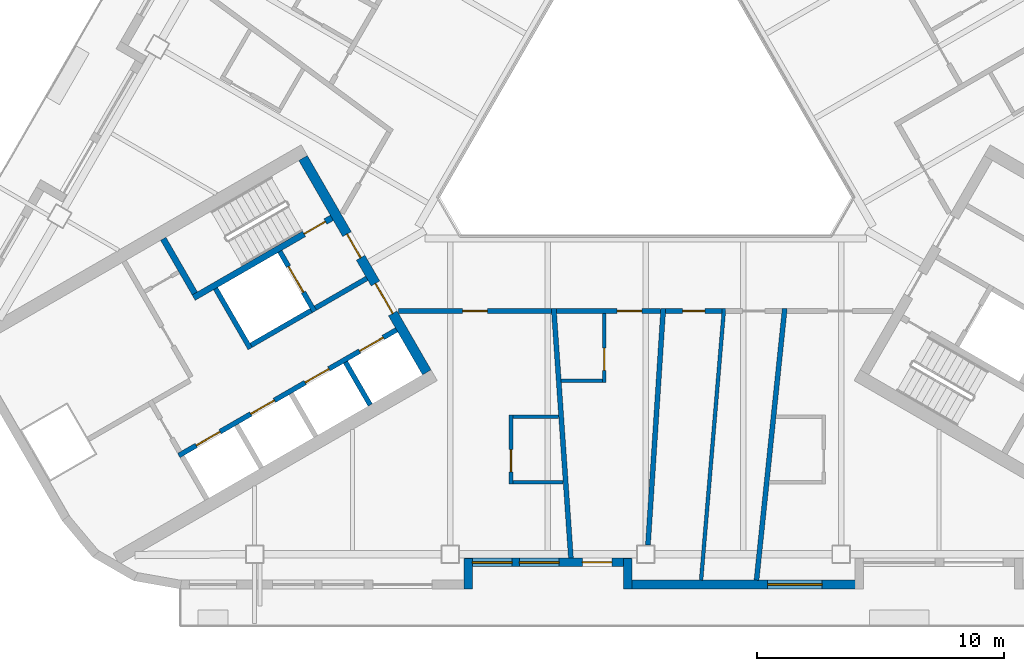
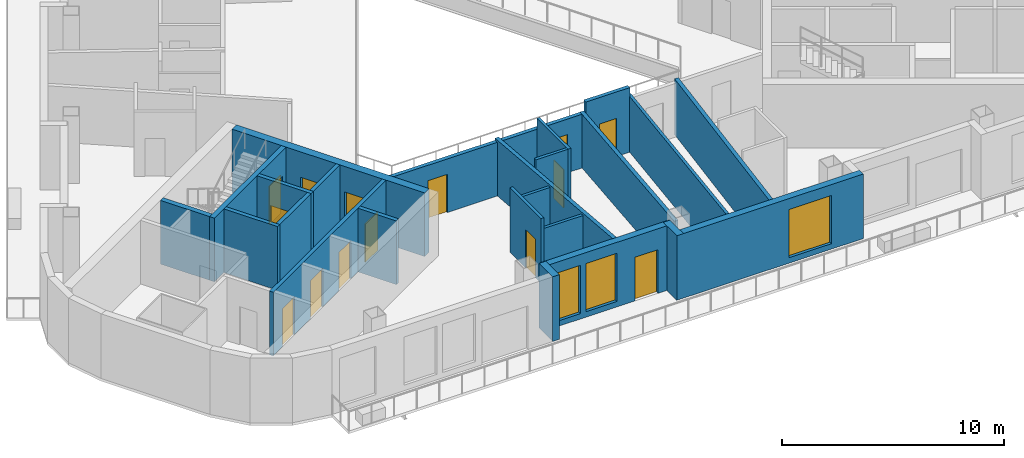
# One storey, part 3 of 14: 25 walls, 14 doors, 3 windows, 17 openings.
"""IFC4 building model written with IfcOpenShell, lengths in metres."""

import ifcopenshell
import ifcopenshell.guid

model = None  # the IFC model being written
_history = None  # IfcOwnerHistory: only IFC2X3 demands one
_inside = {}  # id of a spatial element -> (the spatial element, [elements in it])
_under = {}  # id of a project, library or spatial element -> (it, [spatial elements below it])
_declared = {}  # id of a project -> (the project, [libraries it declares])
_typed = {}  # id of a type object -> (the type object, [elements of that type])
_made_of = {}  # id of a material, layer set ... -> (it, [elements and type objects made of it])


def new_model(schema):
    """Start an empty IFC model of exactly this schema.

    Asked for "IFC4X3", IfcOpenShell would pick the latest addendum, in which some entities
    have other attributes; the version numbers below select the first issue.
    IFC2X3 requires an IfcOwnerHistory on every rooted entity: one is made here for all.
    """
    global model, _history
    if schema == "IFC4X3":
        model = ifcopenshell.file(schema_version=(4, 3, 0, 0))
    else:
        model = ifcopenshell.file(schema=schema)
    _inside.clear()
    _under.clear()
    _declared.clear()
    _typed.clear()
    _made_of.clear()
    _history = None
    if model.schema == "IFC2X3":
        org = make("IfcOrganization", Name="unknown")
        user = make(
            "IfcPersonAndOrganization",
            ThePerson=make("IfcPerson", FamilyName="unknown"),
            TheOrganization=org,
        )
        app = make(
            "IfcApplication",
            ApplicationDeveloper=org,
            Version="unknown",
            ApplicationFullName="unknown",
            ApplicationIdentifier="unknown",
        )
        _history = make(
            "IfcOwnerHistory",
            OwningUser=user,
            OwningApplication=app,
            ChangeAction="ADDED",
            CreationDate=0,
        )
    return model


def make(cls, **values):
    """One entity of the class cls with the attributes given. An attribute that is None is left unset."""
    return model.create_entity(
        cls, **{name: value for name, value in values.items() if value is not None}
    )


def rooted(cls, **values):
    """An entity with a GlobalId (a new one), such as an element, a storey or a relation."""
    return make(cls, GlobalId=ifcopenshell.guid.new(), OwnerHistory=_history, **values)


def si_unit(unit_type, name, prefix=None):
    """IfcSIUnit, for example si_unit("LENGTHUNIT", "METRE", prefix="MILLI")."""
    return make("IfcSIUnit", UnitType=unit_type, Prefix=prefix, Name=name)


def assignment(units):
    """IfcUnitAssignment: the units of a project."""
    return None if units is None else make("IfcUnitAssignment", Units=units)


def point(xyz):
    """IfcCartesianPoint."""
    return None if xyz is None else make("IfcCartesianPoint", Coordinates=xyz)


def direction(xyz):
    """IfcDirection."""
    return None if xyz is None else make("IfcDirection", DirectionRatios=xyz)


def frame(location, z_axis=None, x_axis=None):
    """IfcAxis2Placement3D, a coordinate frame: its origin and axes. An axis left out is left unset."""
    return make(
        "IfcAxis2Placement3D",
        Location=point(location),
        Axis=direction(z_axis),
        RefDirection=direction(x_axis),
    )


def frame_2d(location, x_axis=None):
    """IfcAxis2Placement2D, a coordinate frame in the plane: its origin and x axis."""
    return make(
        "IfcAxis2Placement2D", Location=point(location), RefDirection=direction(x_axis)
    )


def origin():
    """The frame at (0, 0, 0) with its axes left unset."""
    return frame((0.0, 0.0, 0.0))


def place(relative_to, where):
    """IfcLocalPlacement: puts the frame where relative to a parent placement (None: the world)."""
    return make(
        "IfcLocalPlacement", PlacementRelTo=relative_to, RelativePlacement=where
    )


def context(
    kind, dimensions, precision=None, world=None, true_north=None, identifier=None
):
    """IfcGeometricRepresentationContext, for example the 3D "Model" context."""
    return make(
        "IfcGeometricRepresentationContext",
        ContextIdentifier=identifier,
        ContextType=kind,
        CoordinateSpaceDimension=dimensions,
        Precision=precision,
        WorldCoordinateSystem=world,
        TrueNorth=true_north,
    )


def subcontext(parent, identifier, kind, view, scale=None):
    """IfcGeometricRepresentationSubContext, for example "Body" below "Model"."""
    return make(
        "IfcGeometricRepresentationSubContext",
        ContextIdentifier=identifier,
        ContextType=kind,
        ParentContext=parent,
        TargetScale=scale,
        TargetView=view,
    )


def project(units=None, contexts=None):
    """IfcProject with its units and contexts."""
    return rooted(
        "IfcProject",
        Name="project",
        RepresentationContexts=contexts,
        UnitsInContext=assignment(units),
    )


def spatial(cls, under=None, at=None, **own):
    """A site, building, storey or space (cls), placed at a placement, below another one or the project."""
    s = rooted(cls, ObjectPlacement=at, **own)
    if under is not None:
        _under.setdefault(under.id(), (under, []))[1].append(s)
    return s


def profile(cls, at=None, kind="AREA", **sizes):
    """A parametric profile (cls). Its sizes go by their IFC names, for example OverallWidth=200.0."""
    return make(cls, ProfileType=kind, Position=at, **sizes)


def rectangle(**sizes):
    """IfcRectangleProfileDef."""
    return profile("IfcRectangleProfileDef", **sizes)


def extrude(swept, where, along, depth):
    """IfcExtrudedAreaSolid: the profile swept, set in the frame where, extruded along a direction by depth."""
    return make(
        "IfcExtrudedAreaSolid",
        SweptArea=swept,
        Position=where,
        ExtrudedDirection=direction(along),
        Depth=depth,
    )


def shape(context_of_items, identifier, shape_type, items):
    """IfcShapeRepresentation: the items that make up one representation, for example the "Body"."""
    return make(
        "IfcShapeRepresentation",
        ContextOfItems=context_of_items,
        RepresentationIdentifier=identifier,
        RepresentationType=shape_type,
        Items=items,
    )


def material(Name=None, Category=None):
    """IfcMaterial."""
    return make("IfcMaterial", Name=Name, Category=Category)


def layer(
    of_material, thickness, ventilated=None, Name=None, Category=None, Priority=None
):
    """IfcMaterialLayer: one layer of a wall or slab, of a material (None: an air gap)."""
    return make(
        "IfcMaterialLayer",
        Material=of_material,
        LayerThickness=thickness,
        IsVentilated=ventilated,
        Name=Name,
        Category=Category,
        Priority=Priority,
    )


def layer_set(layers, Name=None):
    """IfcMaterialLayerSet."""
    return make("IfcMaterialLayerSet", MaterialLayers=layers, LayerSetName=Name)


def made_of(thing, what):
    """Note that an element or type object is made of a material, layer set ...; save() writes the relation."""
    if what is not None:
        _made_of.setdefault(what.id(), (what, []))[1].append(thing)
    return thing


def type_object(cls, material=None, **own):
    """A type object (cls), such as IfcWallType, which elements share."""
    return made_of(rooted(cls, **own), material)


def element(
    cls,
    number,
    at=None,
    inside=None,
    cuts=None,
    type_object=None,
    material=None,
    context=None,
    identifier="Body",
    shape_type=None,
    held_by="IfcProductDefinitionShape",
    body=None,
    shapes=None,
    **own,
):
    """One element of the class cls, such as IfcWall. Its Tag is "e" and its number.

    at: its placement. inside: the storey or other place that contains it. cuts: it is an
    opening in that element (IfcRelVoidsElement). A single representation is given by context,
    identifier, shape_type and body (its items); several are given by shapes. held_by: the class
    of the entity that holds the representations. save() writes the other relations.
    """
    e = rooted(cls, Tag="e%d" % number, ObjectPlacement=at, **own)
    if body is not None:
        shapes = [shape(context, identifier, shape_type, body)]
    if shapes is not None:
        e.Representation = make(held_by, Representations=shapes)
    if inside is not None:
        _inside.setdefault(inside.id(), (inside, []))[1].append(e)
    if cuts is not None:
        rooted(
            "IfcRelVoidsElement", RelatingBuildingElement=cuts, RelatedOpeningElement=e
        )
    if type_object is not None:
        _typed.setdefault(type_object.id(), (type_object, []))[1].append(e)
    return made_of(e, material)


def fill(opening, filler):
    """IfcRelFillsElement: the door or window that sits in an opening."""
    return rooted(
        "IfcRelFillsElement",
        RelatingOpeningElement=opening,
        RelatedBuildingElement=filler,
    )


def aggregate(whole, parts):
    """IfcRelAggregates: a whole, such as a stair, and the parts it consists of."""
    return rooted("IfcRelAggregates", RelatingObject=whole, RelatedObjects=parts)


def save(model, path):
    """Write the relations noted so far, then the file.

    IfcRelAggregates (storeys below a building ...), IfcRelContainedInSpatialStructure (elements
    in a storey), IfcRelDefinesByType, IfcRelAssociatesMaterial and IfcRelDeclares: one each for
    every whole, place, type object, material and project.
    """
    for whole, parts in _under.values():
        aggregate(whole, parts)
    for where, things in _inside.values():
        rooted(
            "IfcRelContainedInSpatialStructure",
            RelatedElements=things,
            RelatingStructure=where,
        )
    for kind, things in _typed.values():
        rooted("IfcRelDefinesByType", RelatedObjects=things, RelatingType=kind)
    for what, things in _made_of.values():
        rooted("IfcRelAssociatesMaterial", RelatedObjects=things, RelatingMaterial=what)
    for by, libraries in _declared.values():
        rooted("IfcRelDeclares", RelatingContext=by, RelatedDefinitions=libraries)
    model.write(path)


model = new_model("IFC4")

# Units and contexts
model_context = context("Model", 3, precision=1e-05, world=origin(), true_north=direction((0.0, 1.0)))
body_context = subcontext(model_context, "Body", "Model", "MODEL_VIEW")
ifc_project = project(units=[si_unit("LENGTHUNIT", "METRE"), si_unit("AREAUNIT", "SQUARE_METRE"), si_unit("VOLUMEUNIT", "CUBIC_METRE"), si_unit("PLANEANGLEUNIT", "RADIAN"), si_unit("MASSUNIT", "GRAM", prefix="KILO")], contexts=[model_context])

# Site, building, storey
site_placement = place(None, origin())
site = spatial("IfcSite", under=ifc_project, at=site_placement, CompositionType="ELEMENT")
building_placement = place(site_placement, origin())
building = spatial("IfcBuilding", under=site, at=building_placement, Name="Apuvela Tower Hotel", CompositionType="ELEMENT")
storey_placement = place(building_placement, frame((0.0, 0.0, 205.800048828125)))
storey = spatial("IfcBuildingStorey", under=building, at=storey_placement, Name="L50", CompositionType="ELEMENT", Elevation=205.800048828125)

# Wall, openings, doors
ifc_material_1 = material(Name="Concrete C50/60", Category="concrete")
ifc_layer_1 = layer(ifc_material_1, 0.39990234375)
ifc_layer_set_1 = layer_set([ifc_layer_1], Name="COR-WALL-CORE-400")
wall_type_1 = type_object("IfcWallType", Name="COR-WALL-CORE-400", PredefinedType="SHEAR", material=ifc_layer_set_1)
wall_1_placement = place(storey_placement, frame((-13.844970703125, -2.219970703125, 0.0), z_axis=(0.0, 0.0, 1.0), x_axis=(0.500004234368, -0.866022959057, 0.0)))
wall_1 = element("IfcWall", 1, at=wall_1_placement, inside=storey, type_object=wall_type_1, Name="Core wall SW", PredefinedType="SHEAR", context=body_context, shape_type="SweptSolid", body=[
    extrude(rectangle(XDim=10.0, YDim=0.39990234375, at=frame_2d((5.0, 0.0))), origin(), (0.0, 0.0, 1.0), 3.5),
])
opening_1_placement = place(wall_1_placement, frame((3.550048828125, 0.0, 0.0)))
opening_1 = element("IfcOpeningElement", 2, at=opening_1_placement, cuts=wall_1, Name="Opening W-FD", PredefinedType="OPENING", context=body_context, shape_type="SweptSolid", body=[
    extrude(rectangle(XDim=1.10009765625, YDim=2.10009765625, at=frame_2d((0.550048828125, 1.050048828125))), frame((0.0, 0.2099609375, 0.0), z_axis=(0.0, -1.0, 0.0), x_axis=(1.0, 0.0, 0.0)), (0.0, 0.0, 1.0), 0.419921875),
])
opening_2_placement = place(wall_1_placement, frame((5.85009765625, 0.0, 0.0)))
opening_2 = element("IfcOpeningElement", 3, at=opening_2_placement, cuts=wall_1, Name="Opening W-GD", PredefinedType="OPENING", context=body_context, shape_type="SweptSolid", body=[
    extrude(rectangle(XDim=1.39990234375, YDim=2.10009765625, at=frame_2d((0.699951171875, 1.050048828125))), frame((0.0, 0.2099609375, 0.0), z_axis=(0.0, -1.0, 0.0), x_axis=(1.0, 0.0, 0.0)), (0.0, 0.0, 1.0), 0.419921875),
])
ifc_material_2 = material(Name="Steel fire door, powder coated", Category="steel")
door_type_1 = type_object("IfcDoorType", Name="COR-FD-1100", OperationType="NOTDEFINED", PredefinedType="DOOR", material=ifc_material_2)
door_1_placement = place(opening_1_placement, frame((1.10009765625, 0.0, 0.0), z_axis=(0.0, 0.0, 1.0), x_axis=(-1.0, 0.0, 0.0)))
door_1 = element("IfcDoor", 4, at=door_1_placement, inside=storey, type_object=door_type_1, Name="Firefighting lobby door W-FD", OperationType="SINGLE_SWING_LEFT", OverallHeight=2.10009765625, OverallWidth=1.10009765625, PredefinedType="DOOR", context=body_context, shape_type="SweptSolid", body=[
    extrude(rectangle(XDim=1.10009765625, YDim=2.10009765625, at=frame_2d((0.550048828125, 1.050048828125))), frame((0.0, 0.02490234375, 0.0), z_axis=(0.0, -1.0, 0.0), x_axis=(1.0, 0.0, 0.0)), (0.0, 0.0, 1.0), 0.050048828125),
])
fill(opening_1, door_1)
ifc_material_3 = material(Name="Glazed steel fire door", Category="steel")
door_type_2 = type_object("IfcDoorType", Name="COR-GD-1400", OperationType="DOUBLE_DOOR_SINGLE_SWING", PredefinedType="DOOR", material=ifc_material_3)
door_2_placement = place(opening_2_placement, frame((1.39990234375, 0.0, 0.0), z_axis=(0.0, 0.0, 1.0), x_axis=(-1.0, 0.0, 0.0)))
door_2 = element("IfcDoor", 5, at=door_2_placement, inside=storey, type_object=door_type_2, Name="Lift lobby door W-GD", OperationType="DOUBLE_DOOR_SINGLE_SWING", OverallHeight=2.10009765625, OverallWidth=1.39990234375, PredefinedType="DOOR", context=body_context, shape_type="SweptSolid", body=[
    extrude(rectangle(XDim=1.39990234375, YDim=2.10009765625, at=frame_2d((0.699951171875, 1.050048828125))), frame((0.0, 0.02490234375, 0.0), z_axis=(0.0, -1.0, 0.0), x_axis=(1.0, 0.0, 0.0)), (0.0, 0.0, 1.0), 0.050048828125),
])
fill(opening_2, door_2)

# Wall
ifc_layer_2 = layer(ifc_material_1, 0.199951171875)
ifc_layer_set_2 = layer_set([ifc_layer_2], Name="COR-WALL-SHAFT-200")
wall_type_2 = type_object("IfcWallType", Name="COR-WALL-SHAFT-200", PredefinedType="SHEAR", material=ifc_layer_set_2)
wall_2_placement = place(storey_placement, frame((-17.38134765625, -7.49462890625, 0.0), z_axis=(0.0, 0.0, 1.0), x_axis=(0.500011755427, -0.866018616679, 0.0)))
element("IfcWall", 6, at=wall_2_placement, inside=storey, type_object=wall_type_2, Name="Shaft wall SW", PredefinedType="SHEAR", context=body_context, shape_type="SweptSolid", body=[
    extrude(rectangle(XDim=2.80029296875, YDim=0.199951171875, at=frame_2d((1.400146484375, 0.0))), origin(), (0.0, 0.0, 1.0), 3.5),
])

# Wall, opening, door
wall_3_placement = place(storey_placement, frame((-14.783203125, -5.99462890625, 0.0), z_axis=(0.0, 0.0, 1.0), x_axis=(0.49994636267, -0.866056369097, 0.0)))
wall_3 = element("IfcWall", 7, at=wall_3_placement, inside=storey, type_object=wall_type_2, Name="Shaft wall SW", PredefinedType="SHEAR", context=body_context, shape_type="SweptSolid", body=[
    extrude(rectangle(XDim=2.800048828125, YDim=0.199951171875, at=frame_2d((1.39990234375, 0.0))), origin(), (0.0, 0.0, 1.0), 3.5),
])
opening_3_placement = place(wall_3_placement, frame((0.699951171875, 0.0, 0.0)))
opening_3 = element("IfcOpeningElement", 8, at=opening_3_placement, cuts=wall_3, Name="Opening W-LD-FS2", PredefinedType="OPENING", context=body_context, shape_type="SweptSolid", body=[
    extrude(rectangle(XDim=1.199951171875, YDim=2.10009765625, at=frame_2d((0.60009765625, 1.050048828125))), frame((0.0, 0.10986328125, 0.0), z_axis=(0.0, -1.0, 0.0), x_axis=(1.0, 0.0, 0.0)), (0.0, 0.0, 1.0), 0.219970703125),
])
ifc_material_4 = material(Name="Stainless steel lift landing door", Category="steel")
door_type_3 = type_object("IfcDoorType", Name="COR-LD-1200", OperationType="DOUBLE_DOOR_SLIDING", PredefinedType="DOOR", material=ifc_material_4)
door_3_placement = place(opening_3_placement, origin())
door_3 = element("IfcDoor", 9, at=door_3_placement, inside=storey, type_object=door_type_3, Name="Lift landing door W-LD-FS2", OperationType="DOUBLE_DOOR_SLIDING", OverallHeight=2.10009765625, OverallWidth=1.199951171875, PredefinedType="DOOR", context=body_context, shape_type="SweptSolid", body=[
    extrude(rectangle(XDim=1.199951171875, YDim=2.10009765625, at=frame_2d((0.60009765625, 1.050048828125))), frame((0.0, 0.02490234375, 0.0), z_axis=(0.0, -1.0, 0.0), x_axis=(1.0, 0.0, 0.0)), (0.0, 0.0, 1.0), 0.050048828125),
])
fill(opening_3, door_3)

# Walls
wall_4_placement = place(storey_placement, frame((-13.519775390625, -8.383056640625, 0.0), z_axis=(0.0, 0.0, 1.0), x_axis=(-0.866034573852, -0.49998411664, 0.0)))
element("IfcWall", 10, at=wall_4_placement, inside=storey, type_object=wall_type_2, Name="Shaft wall SW", PredefinedType="SHEAR", context=body_context, shape_type="SweptSolid", body=[
    extrude(rectangle(XDim=2.7998046875, YDim=0.199951171875, at=frame_2d((1.39990234375, 0.0))), origin(), (0.0, 0.0, 1.0), 3.5),
])
wall_5_placement = place(storey_placement, frame((-11.26806640625, -7.0830078125, 0.0), z_axis=(0.0, 0.0, 1.0), x_axis=(-0.866050077142, -0.499957262057, 0.0)))
element("IfcWall", 11, at=wall_5_placement, inside=storey, type_object=wall_type_2, Name="Shaft wall SW", PredefinedType="SHEAR", context=body_context, shape_type="SweptSolid", body=[
    extrude(rectangle(XDim=2.400146484375, YDim=0.199951171875, at=frame_2d((1.2001953125, 0.0))), origin(), (0.0, 0.0, 1.0), 3.5),
])

# Wall, openings, doors
wall_6_placement = place(storey_placement, frame((-10.068115234375, -9.16162109375, 0.0), z_axis=(0.0, 0.0, 1.0), x_axis=(-0.866032725843, -0.499987317609, 0.0)))
wall_6 = element("IfcWall", 12, at=wall_6_placement, inside=storey, type_object=wall_type_2, Name="Shaft wall SW", PredefinedType="SHEAR", context=body_context, shape_type="SweptSolid", body=[
    extrude(rectangle(XDim=10.159912109375, YDim=0.199951171875, at=frame_2d((5.080078125, 0.0))), origin(), (0.0, 0.0, 1.0), 3.5),
])
opening_4_placement = place(wall_6_placement, frame((0.6201171875, 0.0, 0.0)))
opening_4 = element("IfcOpeningElement", 13, at=opening_4_placement, cuts=wall_6, Name="Opening W-LD-MR1", PredefinedType="OPENING", context=body_context, shape_type="SweptSolid", body=[
    extrude(rectangle(XDim=1.10009765625, YDim=2.10009765625, at=frame_2d((0.550048828125, 1.050048828125))), frame((0.0, 0.10986328125, 0.0), z_axis=(0.0, -1.0, 0.0), x_axis=(1.0, 0.0, 0.0)), (0.0, 0.0, 1.0), 0.219970703125),
])
opening_5_placement = place(wall_6_placement, frame((3.159912109375, 0.0, 0.0)))
opening_5 = element("IfcOpeningElement", 14, at=opening_5_placement, cuts=wall_6, Name="Opening W-LD-MR2", PredefinedType="OPENING", context=body_context, shape_type="SweptSolid", body=[
    extrude(rectangle(XDim=1.10009765625, YDim=2.10009765625, at=frame_2d((0.550048828125, 1.050048828125))), frame((0.0, 0.10986328125, 0.0), z_axis=(0.0, -1.0, 0.0), x_axis=(1.0, 0.0, 0.0)), (0.0, 0.0, 1.0), 0.219970703125),
])
opening_6_placement = place(wall_6_placement, frame((5.699951171875, 0.0, 0.0)))
opening_6 = element("IfcOpeningElement", 15, at=opening_6_placement, cuts=wall_6, Name="Opening W-LD-MR3", PredefinedType="OPENING", context=body_context, shape_type="SweptSolid", body=[
    extrude(rectangle(XDim=1.10009765625, YDim=2.10009765625, at=frame_2d((0.550048828125, 1.050048828125))), frame((0.0, 0.10986328125, 0.0), z_axis=(0.0, -1.0, 0.0), x_axis=(1.0, 0.0, 0.0)), (0.0, 0.0, 1.0), 0.219970703125),
])
opening_7_placement = place(wall_6_placement, frame((8.239990234375, 0.0, 0.0)))
opening_7 = element("IfcOpeningElement", 16, at=opening_7_placement, cuts=wall_6, Name="Opening W-LD-MR4", PredefinedType="OPENING", context=body_context, shape_type="SweptSolid", body=[
    extrude(rectangle(XDim=1.10009765625, YDim=2.10009765625, at=frame_2d((0.550048828125, 1.050048828125))), frame((0.0, 0.10986328125, 0.0), z_axis=(0.0, -1.0, 0.0), x_axis=(1.0, 0.0, 0.0)), (0.0, 0.0, 1.0), 0.219970703125),
])
door_type_4 = type_object("IfcDoorType", Name="COR-LD-1100", OperationType="DOUBLE_DOOR_SLIDING", PredefinedType="DOOR", material=ifc_material_4)
door_4_placement = place(opening_4_placement, origin())
door_4 = element("IfcDoor", 17, at=door_4_placement, inside=storey, type_object=door_type_4, Name="Lift landing door W-LD-MR1", OperationType="DOUBLE_DOOR_SLIDING", OverallHeight=2.10009765625, OverallWidth=1.10009765625, PredefinedType="DOOR", context=body_context, shape_type="SweptSolid", body=[
    extrude(rectangle(XDim=1.10009765625, YDim=2.10009765625, at=frame_2d((0.550048828125, 1.050048828125))), frame((0.0, 0.02490234375, 0.0), z_axis=(0.0, -1.0, 0.0), x_axis=(1.0, 0.0, 0.0)), (0.0, 0.0, 1.0), 0.050048828125),
])
fill(opening_4, door_4)
door_5_placement = place(opening_5_placement, origin())
door_5 = element("IfcDoor", 18, at=door_5_placement, inside=storey, type_object=door_type_4, Name="Lift landing door W-LD-MR2", OperationType="DOUBLE_DOOR_SLIDING", OverallHeight=2.10009765625, OverallWidth=1.10009765625, PredefinedType="DOOR", context=body_context, shape_type="SweptSolid", body=[
    extrude(rectangle(XDim=1.10009765625, YDim=2.10009765625, at=frame_2d((0.550048828125, 1.050048828125))), frame((0.0, 0.02490234375, 0.0), z_axis=(0.0, -1.0, 0.0), x_axis=(1.0, 0.0, 0.0)), (0.0, 0.0, 1.0), 0.050048828125),
])
fill(opening_5, door_5)
door_6_placement = place(opening_6_placement, origin())
door_6 = element("IfcDoor", 19, at=door_6_placement, inside=storey, type_object=door_type_4, Name="Lift landing door W-LD-MR3", OperationType="DOUBLE_DOOR_SLIDING", OverallHeight=2.10009765625, OverallWidth=1.10009765625, PredefinedType="DOOR", context=body_context, shape_type="SweptSolid", body=[
    extrude(rectangle(XDim=1.10009765625, YDim=2.10009765625, at=frame_2d((0.550048828125, 1.050048828125))), frame((0.0, 0.02490234375, 0.0), z_axis=(0.0, -1.0, 0.0), x_axis=(1.0, 0.0, 0.0)), (0.0, 0.0, 1.0), 0.050048828125),
])
fill(opening_6, door_6)
door_7_placement = place(opening_7_placement, origin())
door_7 = element("IfcDoor", 20, at=door_7_placement, inside=storey, type_object=door_type_4, Name="Lift landing door W-LD-MR4", OperationType="DOUBLE_DOOR_SLIDING", OverallHeight=2.10009765625, OverallWidth=1.10009765625, PredefinedType="DOOR", context=body_context, shape_type="SweptSolid", body=[
    extrude(rectangle(XDim=1.10009765625, YDim=2.10009765625, at=frame_2d((0.550048828125, 1.050048828125))), frame((0.0, 0.02490234375, 0.0), z_axis=(0.0, -1.0, 0.0), x_axis=(1.0, 0.0, 0.0)), (0.0, 0.0, 1.0), 0.050048828125),
])
fill(opening_7, door_7)

# Wall
wall_7_placement = place(storey_placement, frame((-12.131103515625, -10.468017578125, 0.0), z_axis=(0.0, 0.0, 1.0), x_axis=(0.499972520799, -0.866041268327, 0.0)))
element("IfcWall", 21, at=wall_7_placement, inside=storey, type_object=wall_type_2, Name="Shaft wall SW", PredefinedType="SHEAR", context=body_context, shape_type="SweptSolid", body=[
    extrude(rectangle(XDim=2.0, YDim=0.199951171875, at=frame_2d((1.0, 0.0))), origin(), (0.0, 0.0, 1.0), 3.5),
])

# Wall, opening, door
ifc_layer_3 = layer(ifc_material_1, 0.25)
ifc_layer_set_3 = layer_set([ifc_layer_3], Name="COR-WALL-STAIR-250")
wall_type_3 = type_object("IfcWallType", Name="COR-WALL-STAIR-250", PredefinedType="SHEAR", material=ifc_layer_set_3)
wall_8_placement = place(storey_placement, frame((-12.6806640625, -4.636474609375, 0.0), z_axis=(0.0, 0.0, 1.0), x_axis=(-0.866021702275, -0.500006411147, 0.0)))
wall_8 = element("IfcWall", 22, at=wall_8_placement, inside=storey, type_object=wall_type_3, Name="Stair wall SW", PredefinedType="SHEAR", context=body_context, shape_type="SweptSolid", body=[
    extrude(rectangle(XDim=6.4501953125, YDim=0.25, at=frame_2d((3.22509765625, 0.0))), origin(), (0.0, 0.0, 1.0), 3.5),
])
opening_8_placement = place(wall_8_placement, frame((0.300048828125, 0.0, 0.0)))
opening_8 = element("IfcOpeningElement", 23, at=opening_8_placement, cuts=wall_8, Name="Opening W-SD", PredefinedType="OPENING", context=body_context, shape_type="SweptSolid", body=[
    extrude(rectangle(XDim=1.0, YDim=2.10009765625, at=frame_2d((0.5, 1.050048828125))), frame((0.0, 0.135009765625, 0.0), z_axis=(0.0, -1.0, 0.0), x_axis=(1.0, 0.0, 0.0)), (0.0, 0.0, 1.0), 0.27001953125),
])
door_type_5 = type_object("IfcDoorType", Name="COR-SD-1000", OperationType="NOTDEFINED", PredefinedType="DOOR", material=ifc_material_2)
door_8_placement = place(opening_8_placement, frame((1.0, 0.0, 0.0), z_axis=(0.0, 0.0, 1.0), x_axis=(-1.0, 0.0, 0.0)))
door_8 = element("IfcDoor", 24, at=door_8_placement, inside=storey, type_object=door_type_5, Name="Stair door W-SD", OperationType="SINGLE_SWING_LEFT", OverallHeight=2.10009765625, OverallWidth=1.0, PredefinedType="DOOR", context=body_context, shape_type="SweptSolid", body=[
    extrude(rectangle(XDim=1.0, YDim=2.10009765625, at=frame_2d((0.5, 1.050048828125))), frame((0.0, 0.02490234375, 0.0), z_axis=(0.0, -1.0, 0.0), x_axis=(1.0, 0.0, 0.0)), (0.0, 0.0, 1.0), 0.050048828125),
])
fill(opening_8, door_8)

# Walls
wall_9_placement = place(storey_placement, frame((-19.49560546875, -5.482421875, 0.0), z_axis=(0.0, 0.0, 1.0), x_axis=(0.499990435942, -0.866030925526, 0.0)))
element("IfcWall", 25, at=wall_9_placement, inside=storey, type_object=wall_type_3, Name="Stair wall SW", PredefinedType="SHEAR", context=body_context, shape_type="SweptSolid", body=[
    extrude(rectangle(XDim=2.5498046875, YDim=0.25, at=frame_2d((1.27490234375, 0.0))), origin(), (0.0, 0.0, 1.0), 3.5),
])
ifc_material_5 = material(Name="Concrete C40/50, dark pigmented precast panel", Category="concrete")
ifc_layer_4 = layer(ifc_material_5, 0.35009765625)
ifc_layer_set_4 = layer_set([ifc_layer_4], Name="ENV-WALL-350")
wall_type_4 = type_object("IfcWallType", Name="ENV-WALL-350", PredefinedType="SOLIDWALL", material=ifc_layer_set_4)
wall_10_placement = place(storey_placement, frame((-7.175048828125, -19.6298828125, 0.0), z_axis=(0.0, 0.0, 1.0), x_axis=(0.0, 1.0, 0.0)))
element("IfcWall", 26, at=wall_10_placement, inside=storey, type_object=wall_type_4, Name="External wall L50-18", PredefinedType="SOLIDWALL", context=body_context, shape_type="SweptSolid", body=[
    extrude(rectangle(XDim=1.219970703125, YDim=0.35009765625, at=frame_2d((0.60986328125, 0.0))), origin(), (0.0, 0.0, 1.0), 3.550048828125),
])

# Wall, openings, door, windows
wall_11_placement = place(storey_placement, frame((-7.320068359375, -18.554931640625, 0.0), z_axis=(0.0, 0.0, 1.0), x_axis=(1.0, 0.0, 0.0)))
wall_11 = element("IfcWall", 27, at=wall_11_placement, inside=storey, type_object=wall_type_4, Name="External wall L50-19", PredefinedType="SOLIDWALL", context=body_context, shape_type="SweptSolid", body=[
    extrude(rectangle(XDim=6.739990234375, YDim=0.35009765625, at=frame_2d((3.3701171875, 0.0))), origin(), (0.0, 0.0, 1.0), 3.550048828125),
])
opening_9_placement = place(wall_11_placement, frame((0.3203125, 0.0, 0.300048828125)))
opening_9 = element("IfcOpeningElement", 28, at=opening_9_placement, cuts=wall_11, Name="Opening WN16", PredefinedType="OPENING", context=body_context, shape_type="SweptSolid", body=[
    extrude(rectangle(XDim=1.60009765625, YDim=2.64990234375, at=frame_2d((0.800048828125, 1.324951171875))), frame((0.0, 0.18505859375, 0.0), z_axis=(0.0, -1.0, 0.0), x_axis=(1.0, 0.0, 0.0)), (0.0, 0.0, 1.0), 0.3701171875),
])
opening_10_placement = place(wall_11_placement, frame((2.220458984375, 0.0, 0.300048828125)))
opening_10 = element("IfcOpeningElement", 29, at=opening_10_placement, cuts=wall_11, Name="Opening WN16", PredefinedType="OPENING", context=body_context, shape_type="SweptSolid", body=[
    extrude(rectangle(XDim=1.60009765625, YDim=2.64990234375, at=frame_2d((0.800048828125, 1.324951171875))), frame((0.0, 0.18505859375, 0.0), z_axis=(0.0, -1.0, 0.0), x_axis=(1.0, 0.0, 0.0)), (0.0, 0.0, 1.0), 0.3701171875),
])
opening_11_placement = place(wall_11_placement, frame((4.759033203125, 0.0, 0.0)))
opening_11 = element("IfcOpeningElement", 30, at=opening_11_placement, cuts=wall_11, Name="Opening BD12", PredefinedType="OPENING", context=body_context, shape_type="SweptSolid", body=[
    extrude(rectangle(XDim=1.199951171875, YDim=2.39990234375, at=frame_2d((0.60009765625, 1.199951171875))), frame((0.0, 0.18505859375, 0.0), z_axis=(0.0, -1.0, 0.0), x_axis=(1.0, 0.0, 0.0)), (0.0, 0.0, 1.0), 0.3701171875),
])
ifc_material_6 = material(Name="Aluminium 6063-T6, dark bronze anodised frame with dark tinted laminated glass", Category="aluminium")
door_type_6 = type_object("IfcDoorType", Name="ENV-DOOR-BALCONY-1200x2400", OperationType="SLIDING_TO_LEFT", PredefinedType="DOOR", material=ifc_material_6)
door_9_placement = place(opening_11_placement, frame((1.199951171875, 0.0, 0.0), z_axis=(0.0, 0.0, 1.0), x_axis=(-1.0, 0.0, 0.0)))
door_9 = element("IfcDoor", 31, at=door_9_placement, inside=storey, type_object=door_type_6, Name="Balcony door BD12", OperationType="SLIDING_TO_LEFT", OverallHeight=2.39990234375, OverallWidth=1.199951171875, PredefinedType="DOOR", context=body_context, shape_type="SweptSolid", body=[
    extrude(rectangle(XDim=1.199951171875, YDim=2.39990234375, at=frame_2d((0.60009765625, 1.199951171875))), frame((0.0, 0.02490234375, 0.0), z_axis=(0.0, -1.0, 0.0), x_axis=(1.0, 0.0, 0.0)), (0.0, 0.0, 1.0), 0.050048828125),
])
fill(opening_11, door_9)
ifc_material_7 = material(Name="Glass, dark tinted laminated insulated glazing unit", Category="glass")
window_type_1 = type_object("IfcWindowType", Name="ENV-WIN-1600x2650", PartitioningType="SINGLE_PANEL", PredefinedType="WINDOW", material=ifc_material_7)
window_1_placement = place(opening_9_placement, origin())
window_1 = element("IfcWindow", 32, at=window_1_placement, inside=storey, type_object=window_type_1, Name="Window WN16", OverallHeight=2.64990234375, OverallWidth=1.60009765625, PartitioningType="SINGLE_PANEL", PredefinedType="WINDOW", context=body_context, shape_type="SweptSolid", body=[
    extrude(rectangle(XDim=1.60009765625, YDim=2.64990234375, at=frame_2d((0.800048828125, 1.324951171875))), frame((0.0, 0.030029296875, 0.0), z_axis=(0.0, -1.0, 0.0), x_axis=(1.0, 0.0, 0.0)), (0.0, 0.0, 1.0), 0.06005859375),
])
fill(opening_9, window_1)
window_2_placement = place(opening_10_placement, origin())
window_2 = element("IfcWindow", 33, at=window_2_placement, inside=storey, type_object=window_type_1, Name="Window WN16", OverallHeight=2.64990234375, OverallWidth=1.60009765625, PartitioningType="SINGLE_PANEL", PredefinedType="WINDOW", context=body_context, shape_type="SweptSolid", body=[
    extrude(rectangle(XDim=1.60009765625, YDim=2.64990234375, at=frame_2d((0.800048828125, 1.324951171875))), frame((0.0, 0.030029296875, 0.0), z_axis=(0.0, -1.0, 0.0), x_axis=(1.0, 0.0, 0.0)), (0.0, 0.0, 1.0), 0.06005859375),
])
fill(opening_10, window_2)

# Wall
wall_12_placement = place(storey_placement, frame((-0.72509765625, -18.409912109375, 0.0), z_axis=(0.0, 0.0, 1.0), x_axis=(0.0, -1.0, 0.0)))
element("IfcWall", 34, at=wall_12_placement, inside=storey, type_object=wall_type_4, Name="External wall L50-20", PredefinedType="SOLIDWALL", context=body_context, shape_type="SweptSolid", body=[
    extrude(rectangle(XDim=1.219970703125, YDim=0.35009765625, at=frame_2d((0.60986328125, 0.0))), origin(), (0.0, 0.0, 1.0), 3.550048828125),
])

# Wall, opening, window
wall_13_placement = place(storey_placement, frame((-0.89990234375, -19.455078125, 0.0), z_axis=(0.0, 0.0, 1.0), x_axis=(1.0, 0.0, 0.0)))
wall_13 = element("IfcWall", 35, at=wall_13_placement, inside=storey, type_object=wall_type_4, Name="External wall L50-21", PredefinedType="SOLIDWALL", context=body_context, shape_type="SweptSolid", body=[
    extrude(rectangle(XDim=9.699951171875, YDim=0.35009765625, at=frame_2d((4.85009765625, 0.0))), origin(), (0.0, 0.0, 1.0), 3.550048828125),
])
opening_12_placement = place(wall_13_placement, frame((5.830078125, 0.0, 0.300048828125)))
opening_12 = element("IfcOpeningElement", 36, at=opening_12_placement, cuts=wall_13, Name="Opening WN22", PredefinedType="OPENING", context=body_context, shape_type="SweptSolid", body=[
    extrude(rectangle(XDim=2.199951171875, YDim=2.64990234375, at=frame_2d((1.10009765625, 1.324951171875))), frame((0.0, 0.18505859375, 0.0), z_axis=(0.0, -1.0, 0.0), x_axis=(1.0, 0.0, 0.0)), (0.0, 0.0, 1.0), 0.3701171875),
])
window_type_2 = type_object("IfcWindowType", Name="ENV-WIN-2200x2650", PartitioningType="SINGLE_PANEL", PredefinedType="WINDOW", material=ifc_material_7)
window_3_placement = place(opening_12_placement, origin())
window_3 = element("IfcWindow", 37, at=window_3_placement, inside=storey, type_object=window_type_2, Name="Window WN22", OverallHeight=2.64990234375, OverallWidth=2.199951171875, PartitioningType="SINGLE_PANEL", PredefinedType="WINDOW", context=body_context, shape_type="SweptSolid", body=[
    extrude(rectangle(XDim=2.199951171875, YDim=2.64990234375, at=frame_2d((1.10009765625, 1.324951171875))), frame((0.0, 0.030029296875, 0.0), z_axis=(0.0, -1.0, 0.0), x_axis=(1.0, 0.0, 0.0)), (0.0, 0.0, 1.0), 0.06005859375),
])
fill(opening_12, window_3)

# Walls
ifc_material_8 = material(Name="Gypsum board partition on twin steel stud", Category="steel")
ifc_layer_5 = layer(ifc_material_8, 0.199951171875)
ifc_layer_set_5 = layer_set([ifc_layer_5], Name="GST-PW1")
wall_type_5 = type_object("IfcWallType", Name="GST-PW1", PredefinedType="PARTITIONING", material=ifc_layer_set_5)
wall_14_placement = place(storey_placement, frame((-3.021728515625, -18.3798828125, 0.0), z_axis=(0.0, 0.0, 1.0), x_axis=(-0.068480322914, 0.997652467232, 0.0)))
element("IfcWall", 38, at=wall_14_placement, inside=storey, type_object=wall_type_5, Name="L50 partition 01", PredefinedType="PARTITIONING", context=body_context, shape_type="SweptSolid", body=[
    extrude(rectangle(XDim=10.103515625, YDim=0.199951171875, at=frame_2d((5.0517578125, 0.0))), origin(), (0.0, 0.0, 1.0), 3.06005859375),
])
wall_15_placement = place(storey_placement, frame((0.092529296875, -17.85498046875, 0.0), z_axis=(0.0, 0.0, 1.0), x_axis=(0.064789362054, 0.997898962102, 0.0)))
element("IfcWall", 39, at=wall_15_placement, inside=storey, type_object=wall_type_5, Name="L50 partition 02", PredefinedType="PARTITIONING", context=body_context, shape_type="SweptSolid", body=[
    extrude(rectangle(XDim=9.574951171875, YDim=0.199951171875, at=frame_2d((4.78759765625, 0.0))), origin(), (0.0, 0.0, 1.0), 2.949951171875),
])
wall_16_placement = place(storey_placement, frame((4.47998046875, -19.280029296875, 0.0), z_axis=(0.0, 0.0, 1.0), x_axis=(0.103348095524, 0.994645248896, 0.0)))
element("IfcWall", 40, at=wall_16_placement, inside=storey, type_object=wall_type_5, Name="L50 partition 03", PredefinedType="PARTITIONING", context=body_context, shape_type="SweptSolid", body=[
    extrude(rectangle(XDim=11.0390625, YDim=0.199951171875, at=frame_2d((5.51953125, 0.0))), origin(), (0.0, 0.0, 1.0), 3.06005859375),
])

# Wall, opening, door
ifc_material_9 = material(Name="Gypsum board corridor wall on twin steel stud, acoustic", Category="steel")
ifc_layer_6 = layer(ifc_material_9, 0.199951171875)
ifc_layer_set_6 = layer_set([ifc_layer_6], Name="GST-PW2")
wall_type_6 = type_object("IfcWallType", Name="GST-PW2", PredefinedType="PARTITIONING", material=ifc_layer_set_6)
wall_17_placement = place(storey_placement, frame((-3.80712890625, -8.39990234375, 0.0), z_axis=(0.0, 0.0, 1.0), x_axis=(-1.0, 0.0, 0.0)))
wall_17 = element("IfcWall", 41, at=wall_17_placement, inside=storey, type_object=wall_type_6, Name="L50 partition 11", PredefinedType="PARTITIONING", context=body_context, shape_type="SweptSolid", body=[
    extrude(rectangle(XDim=6.18115234375, YDim=0.199951171875, at=frame_2d((3.090576171875, 0.0))), origin(), (0.0, 0.0, 1.0), 2.949951171875),
])
opening_13_placement = place(wall_17_placement, frame((2.590576171875, 0.0, 0.0)))
opening_13 = element("IfcOpeningElement", 42, at=opening_13_placement, cuts=wall_17, Name="Opening GD19-02", PredefinedType="OPENING", context=body_context, shape_type="SweptSolid", body=[
    extrude(rectangle(XDim=1.0, YDim=2.10009765625, at=frame_2d((0.5, 1.050048828125))), frame((0.0, 0.10986328125, 0.0), z_axis=(0.0, -1.0, 0.0), x_axis=(1.0, 0.0, 0.0)), (0.0, 0.0, 1.0), 0.219970703125),
])
ifc_material_10 = material(Name="Timber door leaf in steel frame", Category="steel")
door_type_7 = type_object("IfcDoorType", Name="GST-D1", OperationType="NOTDEFINED", PredefinedType="DOOR", material=ifc_material_10)
door_10_placement = place(opening_13_placement, origin())
door_10 = element("IfcDoor", 43, at=door_10_placement, inside=storey, type_object=door_type_7, Name="Door L50-02", OperationType="SINGLE_SWING_LEFT", OverallHeight=2.10009765625, OverallWidth=1.0, PredefinedType="DOOR", context=body_context, shape_type="SweptSolid", body=[
    extrude(rectangle(XDim=1.0, YDim=2.10009765625, at=frame_2d((0.5, 1.050048828125))), frame((0.0, 0.02490234375, 0.0), z_axis=(0.0, -1.0, 0.0), x_axis=(1.0, 0.0, 0.0)), (0.0, 0.0, 1.0), 0.050048828125),
])
fill(opening_13, door_10)

wall_18_placement = place(storey_placement, frame((0.606201171875, -8.39990234375, 0.0), z_axis=(0.0, 0.0, 1.0), x_axis=(-1.0, 0.0, 0.0)))
wall_18 = element("IfcWall", 44, at=wall_18_placement, inside=storey, type_object=wall_type_6, Name="L50 partition 15", PredefinedType="PARTITIONING", context=body_context, shape_type="SweptSolid", body=[
    extrude(rectangle(XDim=4.212890625, YDim=0.199951171875, at=frame_2d((2.1064453125, 0.0))), origin(), (0.0, 0.0, 1.0), 2.949951171875),
])
opening_14_placement = place(wall_18_placement, frame((0.756103515625, 0.0, 0.0)))
opening_14 = element("IfcOpeningElement", 45, at=opening_14_placement, cuts=wall_18, Name="Opening GD19-04", PredefinedType="OPENING", context=body_context, shape_type="SweptSolid", body=[
    extrude(rectangle(XDim=1.0, YDim=2.10009765625, at=frame_2d((0.5, 1.050048828125))), frame((0.0, 0.10986328125, 0.0), z_axis=(0.0, -1.0, 0.0), x_axis=(1.0, 0.0, 0.0)), (0.0, 0.0, 1.0), 0.219970703125),
])
door_11_placement = place(opening_14_placement, origin())
door_11 = element("IfcDoor", 46, at=door_11_placement, inside=storey, type_object=door_type_7, Name="Door L50-04", OperationType="SINGLE_SWING_LEFT", OverallHeight=2.10009765625, OverallWidth=1.0, PredefinedType="DOOR", context=body_context, shape_type="SweptSolid", body=[
    extrude(rectangle(XDim=1.0, YDim=2.10009765625, at=frame_2d((0.5, 1.050048828125))), frame((0.0, 0.02490234375, 0.0), z_axis=(0.0, -1.0, 0.0), x_axis=(1.0, 0.0, 0.0)), (0.0, 0.0, 1.0), 0.050048828125),
])
fill(opening_14, door_11)

wall_19_placement = place(storey_placement, frame((3.08349609375, -8.39990234375, 0.0), z_axis=(0.0, 0.0, 1.0), x_axis=(-1.0, 0.0, 0.0)))
wall_19 = element("IfcWall", 47, at=wall_19_placement, inside=storey, type_object=wall_type_6, Name="L50 partition 19", PredefinedType="PARTITIONING", context=body_context, shape_type="SweptSolid", body=[
    extrude(rectangle(XDim=2.27685546875, YDim=0.199951171875, at=frame_2d((1.138427734375, 0.0))), origin(), (0.0, 0.0, 1.0), 3.550048828125),
])
opening_15_placement = place(wall_19_placement, frame((0.688232421875, 0.0, 0.0)))
opening_15 = element("IfcOpeningElement", 48, at=opening_15_placement, cuts=wall_19, Name="Opening GD19-05", PredefinedType="OPENING", context=body_context, shape_type="SweptSolid", body=[
    extrude(rectangle(XDim=0.89990234375, YDim=2.10009765625, at=frame_2d((0.449951171875, 1.050048828125))), frame((0.0, 0.10986328125, 0.0), z_axis=(0.0, -1.0, 0.0), x_axis=(1.0, 0.0, 0.0)), (0.0, 0.0, 1.0), 0.219970703125),
])
door_type_8 = type_object("IfcDoorType", Name="GST-D2", OperationType="NOTDEFINED", PredefinedType="DOOR", material=ifc_material_10)
door_12_placement = place(opening_15_placement, origin())
door_12 = element("IfcDoor", 49, at=door_12_placement, inside=storey, type_object=door_type_8, Name="Door L50-05", OperationType="SINGLE_SWING_LEFT", OverallHeight=2.10009765625, OverallWidth=0.89990234375, PredefinedType="DOOR", context=body_context, shape_type="SweptSolid", body=[
    extrude(rectangle(XDim=0.89990234375, YDim=2.10009765625, at=frame_2d((0.449951171875, 1.050048828125))), frame((0.0, 0.02490234375, 0.0), z_axis=(0.0, -1.0, 0.0), x_axis=(1.0, 0.0, 0.0)), (0.0, 0.0, 1.0), 0.050048828125),
])
fill(opening_15, door_12)

ifc_material_11 = material(Name="Moisture-resistant gypsum board wet wall on steel stud", Category="steel")
ifc_layer_7 = layer(ifc_material_11, 0.14990234375)
ifc_layer_set_7 = layer_set([ifc_layer_7], Name="GST-PW3")
wall_type_7 = type_object("IfcWallType", Name="GST-PW3", PredefinedType="PARTITIONING", material=ifc_layer_set_7)
wall_20_placement = place(storey_placement, frame((-5.44384765625, -12.60009765625, 0.0), z_axis=(0.0, 0.0, 1.0), x_axis=(0.0, -1.0, 0.0)))
wall_20 = element("IfcWall", 50, at=wall_20_placement, inside=storey, type_object=wall_type_7, Name="L50 partition 12", PredefinedType="PARTITIONING", context=body_context, shape_type="SweptSolid", body=[
    extrude(rectangle(XDim=2.7998046875, YDim=0.14990234375, at=frame_2d((1.39990234375, 0.0))), origin(), (0.0, 0.0, 1.0), 3.550048828125),
])
opening_16_placement = place(wall_20_placement, frame((1.39990234375, 0.0, 0.0)))
opening_16 = element("IfcOpeningElement", 51, at=opening_16_placement, cuts=wall_20, Name="Opening GD19-01", PredefinedType="OPENING", context=body_context, shape_type="SweptSolid", body=[
    extrude(rectangle(XDim=0.89990234375, YDim=2.10009765625, at=frame_2d((0.449951171875, 1.050048828125))), frame((0.0, 0.0849609375, 0.0), z_axis=(0.0, -1.0, 0.0), x_axis=(1.0, 0.0, 0.0)), (0.0, 0.0, 1.0), 0.169921875),
])
door_13_placement = place(opening_16_placement, origin())
door_13 = element("IfcDoor", 52, at=door_13_placement, inside=storey, type_object=door_type_8, Name="Door L50-01", OperationType="SINGLE_SWING_RIGHT", OverallHeight=2.10009765625, OverallWidth=0.89990234375, PredefinedType="DOOR", context=body_context, shape_type="SweptSolid", body=[
    extrude(rectangle(XDim=0.89990234375, YDim=2.10009765625, at=frame_2d((0.449951171875, 1.050048828125))), frame((0.0, 0.02490234375, 0.0), z_axis=(0.0, -1.0, 0.0), x_axis=(1.0, 0.0, 0.0)), (0.0, 0.0, 1.0), 0.050048828125),
])
fill(opening_16, door_13)

# Walls
wall_21_placement = place(storey_placement, frame((-5.368896484375, -15.324951171875, 0.0), z_axis=(0.0, 0.0, 1.0), x_axis=(1.0, 0.0, 0.0)))
element("IfcWall", 53, at=wall_21_placement, inside=storey, type_object=wall_type_7, Name="L50 partition 13", PredefinedType="PARTITIONING", context=body_context, shape_type="SweptSolid", body=[
    extrude(rectangle(XDim=2.037109375, YDim=0.14990234375, at=frame_2d((1.0185546875, 0.0))), origin(), (0.0, 0.0, 1.0), 2.949951171875),
])
wall_22_placement = place(storey_placement, frame((-5.368896484375, -12.675048828125, 0.0), z_axis=(0.0, 0.0, 1.0), x_axis=(1.0, 0.0, 0.0)))
element("IfcWall", 54, at=wall_22_placement, inside=storey, type_object=wall_type_7, Name="L50 partition 14", PredefinedType="PARTITIONING", context=body_context, shape_type="SweptSolid", body=[
    extrude(rectangle(XDim=1.855224609375, YDim=0.14990234375, at=frame_2d((0.927734375, 0.0))), origin(), (0.0, 0.0, 1.0), 2.949951171875),
])

# Wall, opening, door
wall_23_placement = place(storey_placement, frame((-1.6748046875, -11.300048828125, 0.0), z_axis=(0.0, 0.0, 1.0), x_axis=(0.0, 1.0, 0.0)))
wall_23 = element("IfcWall", 55, at=wall_23_placement, inside=storey, type_object=wall_type_7, Name="L50 partition 16", PredefinedType="PARTITIONING", context=body_context, shape_type="SweptSolid", body=[
    extrude(rectangle(XDim=2.800048828125, YDim=0.14990234375, at=frame_2d((1.39990234375, 0.0))), origin(), (0.0, 0.0, 1.0), 3.550048828125),
])
opening_17_placement = place(wall_23_placement, frame((0.5, 0.0, 0.0)))
opening_17 = element("IfcOpeningElement", 56, at=opening_17_placement, cuts=wall_23, Name="Opening GD19-03", PredefinedType="OPENING", context=body_context, shape_type="SweptSolid", body=[
    extrude(rectangle(XDim=0.89990234375, YDim=2.10009765625, at=frame_2d((0.449951171875, 1.050048828125))), frame((0.0, 0.0849609375, 0.0), z_axis=(0.0, -1.0, 0.0), x_axis=(1.0, 0.0, 0.0)), (0.0, 0.0, 1.0), 0.169921875),
])
door_14_placement = place(opening_17_placement, origin())
door_14 = element("IfcDoor", 57, at=door_14_placement, inside=storey, type_object=door_type_8, Name="Door L50-03", OperationType="SINGLE_SWING_LEFT", OverallHeight=2.10009765625, OverallWidth=0.89990234375, PredefinedType="DOOR", context=body_context, shape_type="SweptSolid", body=[
    extrude(rectangle(XDim=0.89990234375, YDim=2.10009765625, at=frame_2d((0.449951171875, 1.050048828125))), frame((0.0, 0.02490234375, 0.0), z_axis=(0.0, -1.0, 0.0), x_axis=(1.0, 0.0, 0.0)), (0.0, 0.0, 1.0), 0.050048828125),
])
fill(opening_17, door_14)

# Walls
wall_24_placement = place(storey_placement, frame((-3.41259765625, -11.22509765625, 0.0), z_axis=(0.0, 0.0, 1.0), x_axis=(1.0, 0.0, 0.0)))
element("IfcWall", 58, at=wall_24_placement, inside=storey, type_object=wall_type_7, Name="L50 partition 17", PredefinedType="PARTITIONING", context=body_context, shape_type="SweptSolid", body=[
    extrude(rectangle(XDim=1.662841796875, YDim=0.14990234375, at=frame_2d((0.83154296875, 0.0))), origin(), (0.0, 0.0, 1.0), 3.550048828125),
])
wall_25_placement = place(storey_placement, frame((2.239990234375, -19.280029296875, 0.0), z_axis=(0.0, 0.0, 1.0), x_axis=(0.084127266942, 0.99645501803, 0.0)))
element("IfcWall", 59, at=wall_25_placement, inside=storey, type_object=wall_type_7, Name="L50 partition 18", PredefinedType="PARTITIONING", context=body_context, shape_type="SweptSolid", body=[
    extrude(rectangle(XDim=11.01904296875, YDim=0.14990234375, at=frame_2d((5.509521484375, 0.0))), origin(), (0.0, 0.0, 1.0), 3.06005859375),
])

save(model, "model.ifc")
